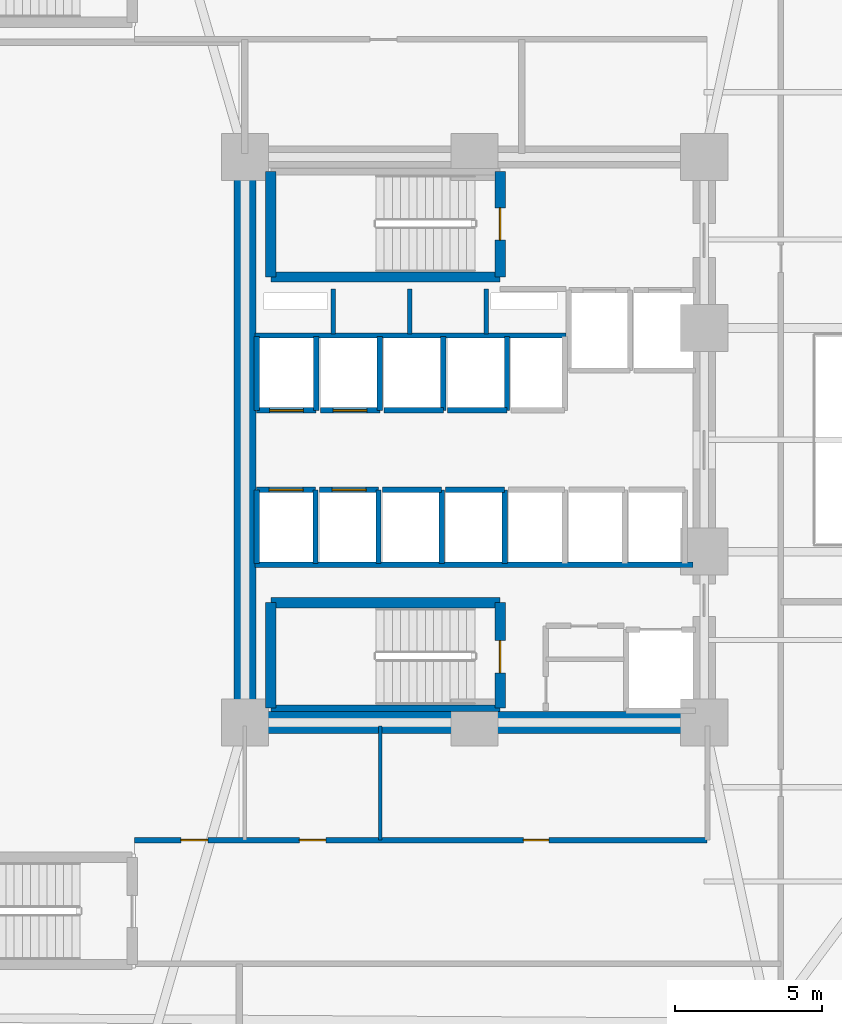
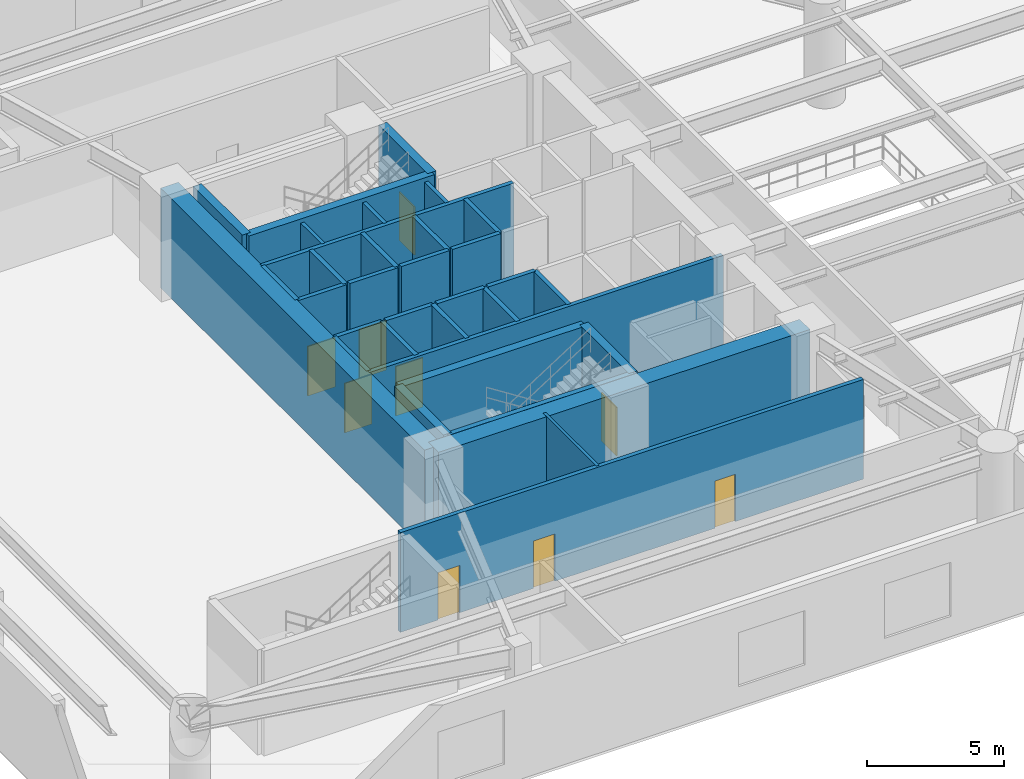
# One storey, part 9 of 16: 34 walls, 9 doors, 9 openings.
"""IFC4 building model written with IfcOpenShell, lengths in metres."""

from ifc_helpers import new_model, si_unit, direction, frame, frame_2d, origin, place, context, subcontext, project, spatial, rectangle, extrude, material, layer, layer_set, type_object, element, fill, save


model = new_model("IFC4")

# Units and contexts
model_context = context("Model", 3, precision=1e-05, world=origin(), true_north=direction((0.0, 1.0)))
body_context = subcontext(model_context, "Body", "Model", "MODEL_VIEW")
ifc_project = project(units=[si_unit("LENGTHUNIT", "METRE"), si_unit("AREAUNIT", "SQUARE_METRE"), si_unit("VOLUMEUNIT", "CUBIC_METRE"), si_unit("PLANEANGLEUNIT", "RADIAN"), si_unit("MASSUNIT", "GRAM", prefix="KILO")], contexts=[model_context])

# Site, building, storey
site_placement = place(None, origin())
site = spatial("IfcSite", under=ifc_project, at=site_placement, CompositionType="ELEMENT")
building_placement = place(site_placement, origin())
building = spatial("IfcBuilding", under=site, at=building_placement, Name="An Khanh Terracotta Commons", CompositionType="ELEMENT")
storey_placement = place(building_placement, frame((0.0, 0.0, 5.39990234375)))
storey = spatial("IfcBuildingStorey", under=building, at=storey_placement, Name="L02", CompositionType="ELEMENT", Elevation=5.39990234375)

# Walls
ifc_material_1 = material(Name="Concrete C70/85", Category="concrete")
ifc_layer_1 = layer(ifc_material_1, 0.75, Name="Concrete C70/85")
ifc_layer_set_1 = layer_set([ifc_layer_1], Name="Concrete C70/85")
wall_type_1 = type_object("IfcWallType", Name="WALL-CORE-750", PredefinedType="SHEAR", material=ifc_layer_set_1)
wall_1_placement = place(storey_placement, frame((21.60009765625, 14.39990234375, 0.0), z_axis=(0.0, 0.0, 1.0), x_axis=(0.0, 1.0, 0.0)))
element("IfcWall", 1, at=wall_1_placement, inside=storey, type_object=wall_type_1, Name="L02 Core Wall CWALL-L02-W", PredefinedType="SHEAR", context=body_context, shape_type="SweptSolid", body=[
    extrude(rectangle(XDim=19.2001953125, YDim=0.75, at=frame_2d((9.60009765625, 0.0))), origin(), (0.0, 0.0, 1.0), 4.43017578125),
])
wall_2_placement = place(storey_placement, frame((37.199951171875, 14.39990234375, 0.0), z_axis=(0.0, 0.0, 1.0), x_axis=(-1.0, 0.0, 0.0)))
element("IfcWall", 2, at=wall_2_placement, inside=storey, type_object=wall_type_1, Name="L02 Core Wall CWALL-L02-S", PredefinedType="SHEAR", context=body_context, shape_type="SweptSolid", body=[
    extrude(rectangle(XDim=15.599853515625, YDim=0.75, at=frame_2d((7.7998046875, 0.0))), origin(), (0.0, 0.0, 1.0), 4.43017578125),
])
ifc_material_2 = material(Name="Fire-Rated Gypsum Board on Steel Stud", Category="steel")
ifc_layer_2 = layer(ifc_material_2, 0.179931640625, Name="Fire-Rated Gypsum Board on Steel Stud")
ifc_layer_set_2 = layer_set([ifc_layer_2], Name="Fire-Rated Gypsum Board on Steel Stud")
wall_type_2 = type_object("IfcWallType", Name="WALL-CORR-180", PredefinedType="PARTITIONING", material=ifc_layer_set_2)
wall_3_placement = place(storey_placement, frame((21.949951171875, 27.5400390625, 0.0), z_axis=(0.0, 0.0, 1.0), x_axis=(1.0, 0.0, 0.0)))
element("IfcWall", 3, at=wall_3_placement, inside=storey, type_object=wall_type_2, Name="L02 Core Wall RSRW-L02-S", PredefinedType="PARTITIONING", context=body_context, shape_type="SweptSolid", body=[
    extrude(rectangle(XDim=10.56005859375, YDim=0.179931640625, at=frame_2d((5.280029296875, 0.0))), origin(), (0.0, 0.0, 1.0), 4.43017578125),
])
wall_4_placement = place(storey_placement, frame((21.949951171875, 19.760009765625, 0.0), z_axis=(0.0, 0.0, 1.0), x_axis=(1.0, 0.0, 0.0)))
element("IfcWall", 4, at=wall_4_placement, inside=storey, type_object=wall_type_2, Name="L02 Core Wall SVW-L02-N", PredefinedType="PARTITIONING", context=body_context, shape_type="SweptSolid", body=[
    extrude(rectangle(XDim=14.8701171875, YDim=0.179931640625, at=frame_2d((7.43505859375, 0.0))), origin(), (0.0, 0.0, 1.0), 4.43017578125),
])

# Wall, opening, door
wall_5_placement = place(storey_placement, frame((24.02001953125, 25.0, 0.0), z_axis=(0.0, 0.0, 1.0), x_axis=(-1.0, 0.0, 0.0)))
wall_5 = element("IfcWall", 5, at=wall_5_placement, inside=storey, type_object=wall_type_2, Name="L02 Core Wall LSH-L02-PL-L1-S", PredefinedType="PARTITIONING", context=body_context, shape_type="SweptSolid", body=[
    extrude(rectangle(XDim=2.02001953125, YDim=0.179931640625, at=frame_2d((1.010009765625, 0.0))), origin(), (0.0, 0.0, 1.0), 4.43017578125),
])
opening_1_placement = place(wall_5_placement, frame((0.43505859375, 0.0, 0.0)))
opening_1 = element("IfcOpeningElement", 6, at=opening_1_placement, cuts=wall_5, Name="Opening LD-PL-L1-L02", PredefinedType="OPENING", context=body_context, shape_type="SweptSolid", body=[
    extrude(rectangle(XDim=1.14990234375, YDim=2.199951171875, at=frame_2d((0.574951171875, 1.10009765625))), frame((0.0, 0.099853515625, 0.0), z_axis=(0.0, -1.0, 0.0), x_axis=(1.0, 0.0, 0.0)), (0.0, 0.0, 1.0), 0.199951171875),
])
ifc_material_3 = material(Name="Brushed Stainless Steel Passenger Landing Door", Category="steel")
door_type_1 = type_object("IfcDoorType", Name="DOOR-LD-PAX-1150", OperationType="NOTDEFINED", PredefinedType="DOOR", material=ifc_material_3)
door_1_placement = place(opening_1_placement, origin())
door_1 = element("IfcDoor", 7, at=door_1_placement, inside=storey, type_object=door_type_1, Name="L02 Lift PL-L1 Sliding Landing Door", OperationType="DOUBLE_DOOR_SLIDING", OverallHeight=2.199951171875, OverallWidth=1.14990234375, PredefinedType="DOOR", context=body_context, shape_type="SweptSolid", body=[
    extrude(rectangle(XDim=1.14990234375, YDim=2.199951171875, at=frame_2d((0.574951171875, 1.10009765625))), frame((0.0, 0.02490234375, 0.0), z_axis=(0.0, -1.0, 0.0), x_axis=(1.0, 0.0, 0.0)), (0.0, 0.0, 1.0), 0.050048828125),
])
fill(opening_1, door_1)

# Walls
for number, where, z_axis, x_axis, name in (
    (8, (24.02001953125, 25.0, 0.0), (0.0, 0.0, 1.0), (0.0, 1.0, 0.0), "L02 Core Wall LSH-L02-PL-L1-E"),
    (9, (22.0, 27.5, 0.0), (0.0, 0.0, 1.0), (0.0, -1.0, 0.0), "L02 Core Wall LSH-L02-PL-L1-W"),
):
    element("IfcWall", number, at=place(storey_placement, frame(where, z_axis=z_axis, x_axis=x_axis)), inside=storey, type_object=wall_type_2, Name=name, PredefinedType="PARTITIONING", context=body_context, shape_type="SweptSolid", body=[
        extrude(rectangle(XDim=2.5, YDim=0.179931640625, at=frame_2d((1.25, 0.0))), origin(), (0.0, 0.0, 1.0), 4.43017578125),
    ])

# Wall, opening, door
wall_6_placement = place(storey_placement, frame((26.179931640625, 25.0, 0.0), z_axis=(0.0, 0.0, 1.0), x_axis=(-1.0, 0.0, 0.0)))
wall_6 = element("IfcWall", 10, at=wall_6_placement, inside=storey, type_object=wall_type_2, Name="L02 Core Wall LSH-L02-PL-L2-S", PredefinedType="PARTITIONING", context=body_context, shape_type="SweptSolid", body=[
    extrude(rectangle(XDim=2.02001953125, YDim=0.179931640625, at=frame_2d((1.010009765625, 0.0))), origin(), (0.0, 0.0, 1.0), 4.43017578125),
])
opening_2_placement = place(wall_6_placement, frame((0.43505859375, 0.0, 0.0)))
opening_2 = element("IfcOpeningElement", 11, at=opening_2_placement, cuts=wall_6, Name="Opening LD-PL-L2-L02", PredefinedType="OPENING", context=body_context, shape_type="SweptSolid", body=[
    extrude(rectangle(XDim=1.14990234375, YDim=2.199951171875, at=frame_2d((0.574951171875, 1.10009765625))), frame((0.0, 0.099853515625, 0.0), z_axis=(0.0, -1.0, 0.0), x_axis=(1.0, 0.0, 0.0)), (0.0, 0.0, 1.0), 0.199951171875),
])
door_2_placement = place(opening_2_placement, origin())
door_2 = element("IfcDoor", 12, at=door_2_placement, inside=storey, type_object=door_type_1, Name="L02 Lift PL-L2 Sliding Landing Door", OperationType="DOUBLE_DOOR_SLIDING", OverallHeight=2.199951171875, OverallWidth=1.14990234375, PredefinedType="DOOR", context=body_context, shape_type="SweptSolid", body=[
    extrude(rectangle(XDim=1.14990234375, YDim=2.199951171875, at=frame_2d((0.574951171875, 1.10009765625))), frame((0.0, 0.02490234375, 0.0), z_axis=(0.0, -1.0, 0.0), x_axis=(1.0, 0.0, 0.0)), (0.0, 0.0, 1.0), 0.050048828125),
])
fill(opening_2, door_2)

# Wall
wall_7_placement = place(storey_placement, frame((26.179931640625, 25.0, 0.0), z_axis=(0.0, 0.0, 1.0), x_axis=(0.0, 1.0, 0.0)))
element("IfcWall", 13, at=wall_7_placement, inside=storey, type_object=wall_type_2, Name="L02 Core Wall LSH-L02-PL-L2-E", PredefinedType="PARTITIONING", context=body_context, shape_type="SweptSolid", body=[
    extrude(rectangle(XDim=2.5, YDim=0.179931640625, at=frame_2d((1.25, 0.0))), origin(), (0.0, 0.0, 1.0), 4.43017578125),
])

# Wall, opening, door
wall_8_placement = place(storey_placement, frame((22.0, 22.300048828125, 0.0), z_axis=(0.0, 0.0, 1.0), x_axis=(1.0, 0.0, 0.0)))
wall_8 = element("IfcWall", 14, at=wall_8_placement, inside=storey, type_object=wall_type_2, Name="L02 Core Wall LSH-L02-PL-L3-N", PredefinedType="PARTITIONING", context=body_context, shape_type="SweptSolid", body=[
    extrude(rectangle(XDim=2.0, YDim=0.179931640625, at=frame_2d((1.0, 0.0))), origin(), (0.0, 0.0, 1.0), 4.43017578125),
])
opening_3_placement = place(wall_8_placement, frame((0.425048828125, 0.0, 0.0)))
opening_3 = element("IfcOpeningElement", 15, at=opening_3_placement, cuts=wall_8, Name="Opening LD-PL-L3-L02", PredefinedType="OPENING", context=body_context, shape_type="SweptSolid", body=[
    extrude(rectangle(XDim=1.14990234375, YDim=2.199951171875, at=frame_2d((0.574951171875, 1.10009765625))), frame((0.0, 0.099853515625, 0.0), z_axis=(0.0, -1.0, 0.0), x_axis=(1.0, 0.0, 0.0)), (0.0, 0.0, 1.0), 0.199951171875),
])
door_3_placement = place(opening_3_placement, origin())
door_3 = element("IfcDoor", 16, at=door_3_placement, inside=storey, type_object=door_type_1, Name="L02 Lift PL-L3 Sliding Landing Door", OperationType="DOUBLE_DOOR_SLIDING", OverallHeight=2.199951171875, OverallWidth=1.14990234375, PredefinedType="DOOR", context=body_context, shape_type="SweptSolid", body=[
    extrude(rectangle(XDim=1.14990234375, YDim=2.199951171875, at=frame_2d((0.574951171875, 1.10009765625))), frame((0.0, 0.02490234375, 0.0), z_axis=(0.0, -1.0, 0.0), x_axis=(1.0, 0.0, 0.0)), (0.0, 0.0, 1.0), 0.050048828125),
])
fill(opening_3, door_3)

# Walls
for number, where, z_axis, x_axis, name in (
    (17, (24.0, 19.800048828125, 0.0), (0.0, 0.0, 1.0), (0.0, 1.0, 0.0), "L02 Core Wall LSH-L02-PL-L3-E"),
    (18, (22.0, 22.300048828125, 0.0), (0.0, 0.0, 1.0), (0.0, -1.0, 0.0), "L02 Core Wall LSH-L02-PL-L3-W"),
):
    element("IfcWall", number, at=place(storey_placement, frame(where, z_axis=z_axis, x_axis=x_axis)), inside=storey, type_object=wall_type_2, Name=name, PredefinedType="PARTITIONING", context=body_context, shape_type="SweptSolid", body=[
        extrude(rectangle(XDim=2.5, YDim=0.179931640625, at=frame_2d((1.25, 0.0))), origin(), (0.0, 0.0, 1.0), 4.43017578125),
    ])

# Wall, opening, door
wall_9_placement = place(storey_placement, frame((24.139892578125, 22.300048828125, 0.0), z_axis=(0.0, 0.0, 1.0), x_axis=(1.0, 0.0, 0.0)))
wall_9 = element("IfcWall", 19, at=wall_9_placement, inside=storey, type_object=wall_type_2, Name="L02 Core Wall LSH-L02-PL-L4-N", PredefinedType="PARTITIONING", context=body_context, shape_type="SweptSolid", body=[
    extrude(rectangle(XDim=2.0, YDim=0.179931640625, at=frame_2d((1.0, 0.0))), origin(), (0.0, 0.0, 1.0), 4.43017578125),
])
opening_4_placement = place(wall_9_placement, frame((0.425048828125, 0.0, 0.0)))
opening_4 = element("IfcOpeningElement", 20, at=opening_4_placement, cuts=wall_9, Name="Opening LD-PL-L4-L02", PredefinedType="OPENING", context=body_context, shape_type="SweptSolid", body=[
    extrude(rectangle(XDim=1.14990234375, YDim=2.199951171875, at=frame_2d((0.574951171875, 1.10009765625))), frame((0.0, 0.099853515625, 0.0), z_axis=(0.0, -1.0, 0.0), x_axis=(1.0, 0.0, 0.0)), (0.0, 0.0, 1.0), 0.199951171875),
])
door_4_placement = place(opening_4_placement, origin())
door_4 = element("IfcDoor", 21, at=door_4_placement, inside=storey, type_object=door_type_1, Name="L02 Lift PL-L4 Sliding Landing Door", OperationType="DOUBLE_DOOR_SLIDING", OverallHeight=2.199951171875, OverallWidth=1.14990234375, PredefinedType="DOOR", context=body_context, shape_type="SweptSolid", body=[
    extrude(rectangle(XDim=1.14990234375, YDim=2.199951171875, at=frame_2d((0.574951171875, 1.10009765625))), frame((0.0, 0.02490234375, 0.0), z_axis=(0.0, -1.0, 0.0), x_axis=(1.0, 0.0, 0.0)), (0.0, 0.0, 1.0), 0.050048828125),
])
fill(opening_4, door_4)

# Walls
wall_10_placement = place(storey_placement, frame((26.139892578125, 19.800048828125, 0.0), z_axis=(0.0, 0.0, 1.0), x_axis=(0.0, 1.0, 0.0)))
element("IfcWall", 22, at=wall_10_placement, inside=storey, type_object=wall_type_2, Name="L02 Core Wall LSH-L02-PL-L4-E", PredefinedType="PARTITIONING", context=body_context, shape_type="SweptSolid", body=[
    extrude(rectangle(XDim=2.5, YDim=0.179931640625, at=frame_2d((1.25, 0.0))), origin(), (0.0, 0.0, 1.0), 4.43017578125),
])
wall_11_placement = place(storey_placement, frame((28.340087890625, 25.0, 0.0), z_axis=(0.0, 0.0, 1.0), x_axis=(-1.0, 0.0, 0.0)))
element("IfcWall", 23, at=wall_11_placement, inside=storey, type_object=wall_type_2, Name="L02 Core Wall LSH-L02-PL-M1-S", PredefinedType="PARTITIONING", context=body_context, shape_type="SweptSolid", body=[
    extrude(rectangle(XDim=2.02001953125, YDim=0.179931640625, at=frame_2d((1.010009765625, 0.0))), origin(), (0.0, 0.0, 1.0), 4.43017578125),
])
wall_12_placement = place(storey_placement, frame((28.340087890625, 25.0, 0.0), z_axis=(0.0, 0.0, 1.0), x_axis=(0.0, 1.0, 0.0)))
element("IfcWall", 24, at=wall_12_placement, inside=storey, type_object=wall_type_2, Name="L02 Core Wall LSH-L02-PL-M1-E", PredefinedType="PARTITIONING", context=body_context, shape_type="SweptSolid", body=[
    extrude(rectangle(XDim=2.5, YDim=0.179931640625, at=frame_2d((1.25, 0.0))), origin(), (0.0, 0.0, 1.0), 4.43017578125),
])
wall_13_placement = place(storey_placement, frame((30.5, 25.0, 0.0), z_axis=(0.0, 0.0, 1.0), x_axis=(-1.0, 0.0, 0.0)))
element("IfcWall", 25, at=wall_13_placement, inside=storey, type_object=wall_type_2, Name="L02 Core Wall LSH-L02-PL-M2-S", PredefinedType="PARTITIONING", context=body_context, shape_type="SweptSolid", body=[
    extrude(rectangle(XDim=2.02001953125, YDim=0.179931640625, at=frame_2d((1.010009765625, 0.0))), origin(), (0.0, 0.0, 1.0), 4.43017578125),
])
wall_14_placement = place(storey_placement, frame((30.5, 25.0, 0.0), z_axis=(0.0, 0.0, 1.0), x_axis=(0.0, 1.0, 0.0)))
element("IfcWall", 26, at=wall_14_placement, inside=storey, type_object=wall_type_2, Name="L02 Core Wall LSH-L02-PL-M2-E", PredefinedType="PARTITIONING", context=body_context, shape_type="SweptSolid", body=[
    extrude(rectangle(XDim=2.5, YDim=0.179931640625, at=frame_2d((1.25, 0.0))), origin(), (0.0, 0.0, 1.0), 4.43017578125),
])
wall_15_placement = place(storey_placement, frame((26.280029296875, 22.300048828125, 0.0), z_axis=(0.0, 0.0, 1.0), x_axis=(1.0, 0.0, 0.0)))
element("IfcWall", 27, at=wall_15_placement, inside=storey, type_object=wall_type_2, Name="L02 Core Wall LSH-L02-PL-M3-N", PredefinedType="PARTITIONING", context=body_context, shape_type="SweptSolid", body=[
    extrude(rectangle(XDim=2.0, YDim=0.179931640625, at=frame_2d((1.0, 0.0))), origin(), (0.0, 0.0, 1.0), 4.43017578125),
])
wall_16_placement = place(storey_placement, frame((28.280029296875, 19.800048828125, 0.0), z_axis=(0.0, 0.0, 1.0), x_axis=(0.0, 1.0, 0.0)))
element("IfcWall", 28, at=wall_16_placement, inside=storey, type_object=wall_type_2, Name="L02 Core Wall LSH-L02-PL-M3-E", PredefinedType="PARTITIONING", context=body_context, shape_type="SweptSolid", body=[
    extrude(rectangle(XDim=2.5, YDim=0.179931640625, at=frame_2d((1.25, 0.0))), origin(), (0.0, 0.0, 1.0), 4.43017578125),
])
wall_17_placement = place(storey_placement, frame((28.419921875, 22.300048828125, 0.0), z_axis=(0.0, 0.0, 1.0), x_axis=(1.0, 0.0, 0.0)))
element("IfcWall", 29, at=wall_17_placement, inside=storey, type_object=wall_type_2, Name="L02 Core Wall LSH-L02-PL-M4-N", PredefinedType="PARTITIONING", context=body_context, shape_type="SweptSolid", body=[
    extrude(rectangle(XDim=2.0, YDim=0.179931640625, at=frame_2d((1.0, 0.0))), origin(), (0.0, 0.0, 1.0), 4.43017578125),
])
wall_18_placement = place(storey_placement, frame((30.419921875, 19.800048828125, 0.0), z_axis=(0.0, 0.0, 1.0), x_axis=(0.0, 1.0, 0.0)))
element("IfcWall", 30, at=wall_18_placement, inside=storey, type_object=wall_type_2, Name="L02 Core Wall LSH-L02-PL-M4-E", PredefinedType="PARTITIONING", context=body_context, shape_type="SweptSolid", body=[
    extrude(rectangle(XDim=2.5, YDim=0.179931640625, at=frame_2d((1.25, 0.0))), origin(), (0.0, 0.0, 1.0), 4.43017578125),
])

# Wall, openings, doors
wall_19_placement = place(storey_placement, frame((17.85009765625, 10.39990234375, 0.0), z_axis=(0.0, 0.0, 1.0), x_axis=(1.0, 0.0, 0.0)))
wall_19 = element("IfcWall", 31, at=wall_19_placement, inside=storey, type_object=wall_type_2, Name="L02 Interior Partition IW-L02-E002", PredefinedType="PARTITIONING", context=body_context, shape_type="SweptSolid", body=[
    extrude(rectangle(XDim=19.449951171875, YDim=0.179931640625, at=frame_2d((9.72509765625, 0.0))), origin(), (0.0, 0.0, 1.0), 4.43017578125),
])
opening_5_placement = place(wall_19_placement, frame((1.574951171875, 0.0, 0.0)))
opening_5 = element("IfcOpeningElement", 32, at=opening_5_placement, cuts=wall_19, Name="Opening D-RM", PredefinedType="OPENING", context=body_context, shape_type="SweptSolid", body=[
    extrude(rectangle(XDim=0.919921875, YDim=2.10009765625, at=frame_2d((0.4599609375, 1.050048828125))), frame((0.0, 0.099853515625, 0.0), z_axis=(0.0, -1.0, 0.0), x_axis=(1.0, 0.0, 0.0)), (0.0, 0.0, 1.0), 0.199951171875),
])
opening_6_placement = place(wall_19_placement, frame((5.60009765625, 0.0, 0.0)))
opening_6 = element("IfcOpeningElement", 33, at=opening_6_placement, cuts=wall_19, Name="Opening D-WC", PredefinedType="OPENING", context=body_context, shape_type="SweptSolid", body=[
    extrude(rectangle(XDim=0.89990234375, YDim=2.10009765625, at=frame_2d((0.449951171875, 1.050048828125))), frame((0.0, 0.099853515625, 0.0), z_axis=(0.0, -1.0, 0.0), x_axis=(1.0, 0.0, 0.0)), (0.0, 0.0, 1.0), 0.199951171875),
])
opening_7_placement = place(wall_19_placement, frame((13.2099609375, 0.0, 0.0)))
opening_7 = element("IfcOpeningElement", 34, at=opening_7_placement, cuts=wall_19, Name="Opening D-ENS", PredefinedType="OPENING", context=body_context, shape_type="SweptSolid", body=[
    extrude(rectangle(XDim=0.860107421875, YDim=2.10009765625, at=frame_2d((0.43017578125, 1.050048828125))), frame((0.0, 0.099853515625, 0.0), z_axis=(0.0, -1.0, 0.0), x_axis=(1.0, 0.0, 0.0)), (0.0, 0.0, 1.0), 0.199951171875),
])
ifc_material_4 = material(Name="Moisture-Resistant Hardwood Timber Leaf", Category="wood")
door_type_2 = type_object("IfcDoorType", Name="DOOR-BATH-860", OperationType="NOTDEFINED", PredefinedType="DOOR", material=ifc_material_4)
door_5_placement = place(opening_7_placement, origin())
door_5 = element("IfcDoor", 35, at=door_5_placement, inside=storey, type_object=door_type_2, Name="L02 WCB Podium Public Washroom Block Door", OperationType="SINGLE_SWING_LEFT", OverallHeight=2.10009765625, OverallWidth=0.860107421875, PredefinedType="DOOR", context=body_context, shape_type="SweptSolid", body=[
    extrude(rectangle(XDim=0.860107421875, YDim=2.10009765625, at=frame_2d((0.43017578125, 1.050048828125))), frame((0.0, 0.02490234375, 0.0), z_axis=(0.0, -1.0, 0.0), x_axis=(1.0, 0.0, 0.0)), (0.0, 0.0, 1.0), 0.050048828125),
])
fill(opening_7, door_5)
ifc_material_5 = material(Name="Engineered Hardwood Timber Leaf", Category="wood")
door_type_3 = type_object("IfcDoorType", Name="DOOR-INT-920", OperationType="NOTDEFINED", PredefinedType="DOOR", material=ifc_material_5)
door_6_placement = place(opening_5_placement, origin())
door_6 = element("IfcDoor", 36, at=door_6_placement, inside=storey, type_object=door_type_3, Name="L02 CWK Collaborative Coworking Commons Door", OperationType="SINGLE_SWING_LEFT", OverallHeight=2.10009765625, OverallWidth=0.919921875, PredefinedType="DOOR", context=body_context, shape_type="SweptSolid", body=[
    extrude(rectangle(XDim=0.919921875, YDim=2.10009765625, at=frame_2d((0.4599609375, 1.050048828125))), frame((0.0, 0.02490234375, 0.0), z_axis=(0.0, -1.0, 0.0), x_axis=(1.0, 0.0, 0.0)), (0.0, 0.0, 1.0), 0.050048828125),
])
fill(opening_5, door_6)
ifc_material_6 = material(Name="Laminate Moisture-Resistant Timber Leaf", Category="wood")
door_type_4 = type_object("IfcDoorType", Name="DOOR-WC-900", OperationType="NOTDEFINED", PredefinedType="DOOR", material=ifc_material_6)
door_7_placement = place(opening_6_placement, origin())
door_7 = element("IfcDoor", 37, at=door_7_placement, inside=storey, type_object=door_type_4, Name="L02 AWC Public Accessible WC Door", OperationType="SINGLE_SWING_RIGHT", OverallHeight=2.10009765625, OverallWidth=0.89990234375, PredefinedType="DOOR", context=body_context, shape_type="SweptSolid", body=[
    extrude(rectangle(XDim=0.89990234375, YDim=2.10009765625, at=frame_2d((0.449951171875, 1.050048828125))), frame((0.0, 0.02490234375, 0.0), z_axis=(0.0, -1.0, 0.0), x_axis=(1.0, 0.0, 0.0)), (0.0, 0.0, 1.0), 0.050048828125),
])
fill(opening_6, door_7)

# Walls
ifc_material_7 = material(Name="Acoustic Gypsum Board Partition")
ifc_layer_3 = layer(ifc_material_7, 0.14990234375, Name="Acoustic Gypsum Board Partition")
ifc_layer_set_3 = layer_set([ifc_layer_3], Name="Acoustic Gypsum Board Partition")
wall_type_3 = type_object("IfcWallType", Name="WALL-PART-150", PredefinedType="PARTITIONING", material=ifc_layer_set_3)
for number, where, z_axis, x_axis, name in (
    (38, (24.60009765625, 27.60009765625, 0.0), (0.0, 0.0, 1.0), (0.0, 1.0, 0.0), "L02 Core Wall RSRW-L02-D1"),
    (39, (27.199951171875, 27.60009765625, 0.0), (0.0, 0.0, 1.0), (0.0, 1.0, 0.0), "L02 Core Wall RSRW-L02-D2"),
    (40, (29.800048828125, 27.60009765625, 0.0), (0.0, 0.0, 1.0), (0.0, 1.0, 0.0), "L02 Core Wall RSRW-L02-D3"),
):
    element("IfcWall", number, at=place(storey_placement, frame(where, z_axis=z_axis, x_axis=x_axis)), inside=storey, type_object=wall_type_3, Name=name, PredefinedType="PARTITIONING", context=body_context, shape_type="SweptSolid", body=[
        extrude(rectangle(XDim=1.52001953125, YDim=0.14990234375, at=frame_2d((0.760009765625, 0.0))), origin(), (0.0, 0.0, 1.0), 4.43017578125),
    ])
ifc_material_8 = material(Name="Acoustic Double-Stud Gypsum and Mineral Wool")
ifc_layer_4 = layer(ifc_material_8, 0.219970703125, Name="Acoustic Double-Stud Gypsum and Mineral Wool")
ifc_layer_set_4 = layer_set([ifc_layer_4], Name="Acoustic Double-Stud Gypsum and Mineral Wool")
wall_type_4 = type_object("IfcWallType", Name="WALL-PARTY-220", PredefinedType="PARTITIONING", material=ifc_layer_set_4)
wall_20_placement = place(storey_placement, frame((22.47998046875, 14.889892578125, 0.0), z_axis=(0.0, 0.0, 1.0), x_axis=(1.0, 0.0, 0.0)))
element("IfcWall", 41, at=wall_20_placement, inside=storey, type_object=wall_type_4, Name="L02 Core Wall STW-L02-S-S", PredefinedType="PARTITIONING", context=body_context, shape_type="SweptSolid", body=[
    extrude(rectangle(XDim=7.7900390625, YDim=0.219970703125, at=frame_2d((3.89501953125, 0.0))), origin(), (0.0, 0.0, 1.0), 4.43017578125),
])
ifc_material_9 = material(Name="Concrete C50/60", Category="concrete")
ifc_layer_5 = layer(ifc_material_9, 0.35009765625, Name="Concrete C50/60")
ifc_layer_set_5 = layer_set([ifc_layer_5], Name="Concrete C50/60")
wall_type_5 = type_object("IfcWallType", Name="WALL-SHAFT-350", PredefinedType="SOLIDWALL", material=ifc_layer_set_5)
wall_21_placement = place(storey_placement, frame((22.47998046875, 29.530029296875, 0.0), z_axis=(0.0, 0.0, 1.0), x_axis=(1.0, 0.0, 0.0)))
element("IfcWall", 42, at=wall_21_placement, inside=storey, type_object=wall_type_5, Name="L02 Core Wall STW-L02-N-S", PredefinedType="SOLIDWALL", context=body_context, shape_type="SweptSolid", body=[
    extrude(rectangle(XDim=7.7900390625, YDim=0.35009765625, at=frame_2d((3.89501953125, 0.0))), origin(), (0.0, 0.0, 1.0), 4.43017578125),
])
wall_22_placement = place(storey_placement, frame((22.47998046875, 29.530029296875, 0.0), z_axis=(0.0, 0.0, 1.0), x_axis=(0.0, 1.0, 0.0)))
element("IfcWall", 43, at=wall_22_placement, inside=storey, type_object=wall_type_5, Name="L02 Core Wall STW-L02-N-W", PredefinedType="SOLIDWALL", context=body_context, shape_type="SweptSolid", body=[
    extrude(rectangle(XDim=3.580078125, YDim=0.35009765625, at=frame_2d((1.7900390625, 0.0))), origin(), (0.0, 0.0, 1.0), 4.43017578125),
])

# Wall, opening, door
wall_23_placement = place(storey_placement, frame((30.27001953125, 29.530029296875, 0.0), z_axis=(0.0, 0.0, 1.0), x_axis=(0.0, 1.0, 0.0)))
wall_23 = element("IfcWall", 44, at=wall_23_placement, inside=storey, type_object=wall_type_5, Name="L02 Core Wall STW-L02-N-E", PredefinedType="SOLIDWALL", context=body_context, shape_type="SweptSolid", body=[
    extrude(rectangle(XDim=3.580078125, YDim=0.35009765625, at=frame_2d((1.7900390625, 0.0))), origin(), (0.0, 0.0, 1.0), 4.43017578125),
])
opening_8_placement = place(wall_23_placement, frame((1.25, 0.0, 0.0)))
opening_8 = element("IfcOpeningElement", 45, at=opening_8_placement, cuts=wall_23, Name="Opening D-ST", PredefinedType="OPENING", context=body_context, shape_type="SweptSolid", body=[
    extrude(rectangle(XDim=1.10009765625, YDim=2.14990234375, at=frame_2d((0.550048828125, 1.074951171875))), frame((0.0, 0.18505859375, 0.0), z_axis=(0.0, -1.0, 0.0), x_axis=(1.0, 0.0, 0.0)), (0.0, 0.0, 1.0), 0.3701171875),
])
ifc_material_10 = material(Name="Fire-Rated Steel Leaf and Frame", Category="steel")
door_type_5 = type_object("IfcDoorType", Name="DOOR-STAIR-1100", OperationType="NOTDEFINED", PredefinedType="DOOR", material=ifc_material_10)
door_8_placement = place(opening_8_placement, origin())
door_8 = element("IfcDoor", 46, at=door_8_placement, inside=storey, type_object=door_type_5, Name="L02 Stair ST-01 Fire Door", OperationType="SINGLE_SWING_LEFT", OverallHeight=2.14990234375, OverallWidth=1.10009765625, PredefinedType="DOOR", context=body_context, shape_type="SweptSolid", body=[
    extrude(rectangle(XDim=1.10009765625, YDim=2.14990234375, at=frame_2d((0.550048828125, 1.074951171875))), frame((0.0, 0.02490234375, 0.0), z_axis=(0.0, -1.0, 0.0), x_axis=(1.0, 0.0, 0.0)), (0.0, 0.0, 1.0), 0.050048828125),
])
fill(opening_8, door_8)

# Walls
wall_24_placement = place(storey_placement, frame((22.47998046875, 18.469970703125, 0.0), z_axis=(0.0, 0.0, 1.0), x_axis=(1.0, 0.0, 0.0)))
element("IfcWall", 47, at=wall_24_placement, inside=storey, type_object=wall_type_5, Name="L02 Core Wall STW-L02-S-N", PredefinedType="SOLIDWALL", context=body_context, shape_type="SweptSolid", body=[
    extrude(rectangle(XDim=7.7900390625, YDim=0.35009765625, at=frame_2d((3.89501953125, 0.0))), origin(), (0.0, 0.0, 1.0), 4.43017578125),
])
wall_25_placement = place(storey_placement, frame((22.47998046875, 14.889892578125, 0.0), z_axis=(0.0, 0.0, 1.0), x_axis=(0.0, 1.0, 0.0)))
element("IfcWall", 48, at=wall_25_placement, inside=storey, type_object=wall_type_5, Name="L02 Core Wall STW-L02-S-W", PredefinedType="SOLIDWALL", context=body_context, shape_type="SweptSolid", body=[
    extrude(rectangle(XDim=3.580078125, YDim=0.35009765625, at=frame_2d((1.7900390625, 0.0))), origin(), (0.0, 0.0, 1.0), 4.43017578125),
])

# Wall, opening, door
wall_26_placement = place(storey_placement, frame((30.27001953125, 14.889892578125, 0.0), z_axis=(0.0, 0.0, 1.0), x_axis=(0.0, 1.0, 0.0)))
wall_26 = element("IfcWall", 49, at=wall_26_placement, inside=storey, type_object=wall_type_5, Name="L02 Core Wall STW-L02-S-E", PredefinedType="SOLIDWALL", context=body_context, shape_type="SweptSolid", body=[
    extrude(rectangle(XDim=3.580078125, YDim=0.35009765625, at=frame_2d((1.7900390625, 0.0))), origin(), (0.0, 0.0, 1.0), 4.43017578125),
])
opening_9_placement = place(wall_26_placement, frame((1.18994140625, 0.0, 0.0)))
opening_9 = element("IfcOpeningElement", 50, at=opening_9_placement, cuts=wall_26, Name="Opening D-ST", PredefinedType="OPENING", context=body_context, shape_type="SweptSolid", body=[
    extrude(rectangle(XDim=1.10009765625, YDim=2.14990234375, at=frame_2d((0.550048828125, 1.074951171875))), frame((0.0, 0.18505859375, 0.0), z_axis=(0.0, -1.0, 0.0), x_axis=(1.0, 0.0, 0.0)), (0.0, 0.0, 1.0), 0.3701171875),
])
door_9_placement = place(opening_9_placement, origin())
door_9 = element("IfcDoor", 51, at=door_9_placement, inside=storey, type_object=door_type_5, Name="L02 Stair ST-02 Fire Door", OperationType="SINGLE_SWING_RIGHT", OverallHeight=2.14990234375, OverallWidth=1.10009765625, PredefinedType="DOOR", context=body_context, shape_type="SweptSolid", body=[
    extrude(rectangle(XDim=1.10009765625, YDim=2.14990234375, at=frame_2d((0.550048828125, 1.074951171875))), frame((0.0, 0.02490234375, 0.0), z_axis=(0.0, -1.0, 0.0), x_axis=(1.0, 0.0, 0.0)), (0.0, 0.0, 1.0), 0.050048828125),
])
fill(opening_9, door_9)

# Wall
ifc_material_11 = material(Name="Moisture-Resistant Cement Board Partition")
ifc_layer_6 = layer(ifc_material_11, 0.1201171875, Name="Moisture-Resistant Cement Board Partition")
ifc_layer_set_6 = layer_set([ifc_layer_6], Name="Moisture-Resistant Cement Board Partition")
wall_type_6 = type_object("IfcWallType", Name="WALL-WET-120", PredefinedType="PARTITIONING", material=ifc_layer_set_6)
wall_27_placement = place(storey_placement, frame((26.199951171875, 10.39990234375, 0.0), z_axis=(0.0, 0.0, 1.0), x_axis=(0.0, 1.0, 0.0)))
element("IfcWall", 52, at=wall_27_placement, inside=storey, type_object=wall_type_6, Name="L02 Interior Partition IW-L02-E010", PredefinedType="PARTITIONING", context=body_context, shape_type="SweptSolid", body=[
    extrude(rectangle(XDim=3.880126953125, YDim=0.1201171875, at=frame_2d((1.93994140625, 0.0))), origin(), (0.0, 0.0, 1.0), 4.43017578125),
])

save(model, "model.ifc")
